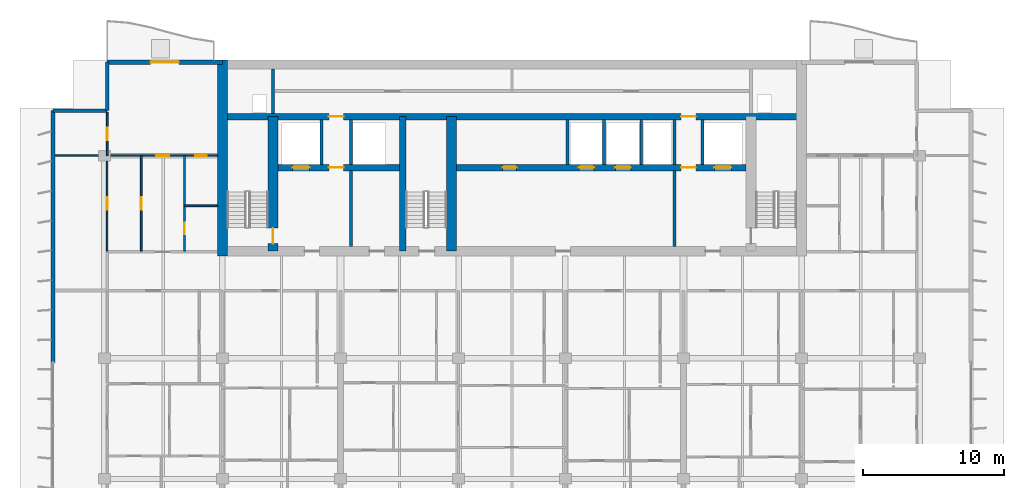
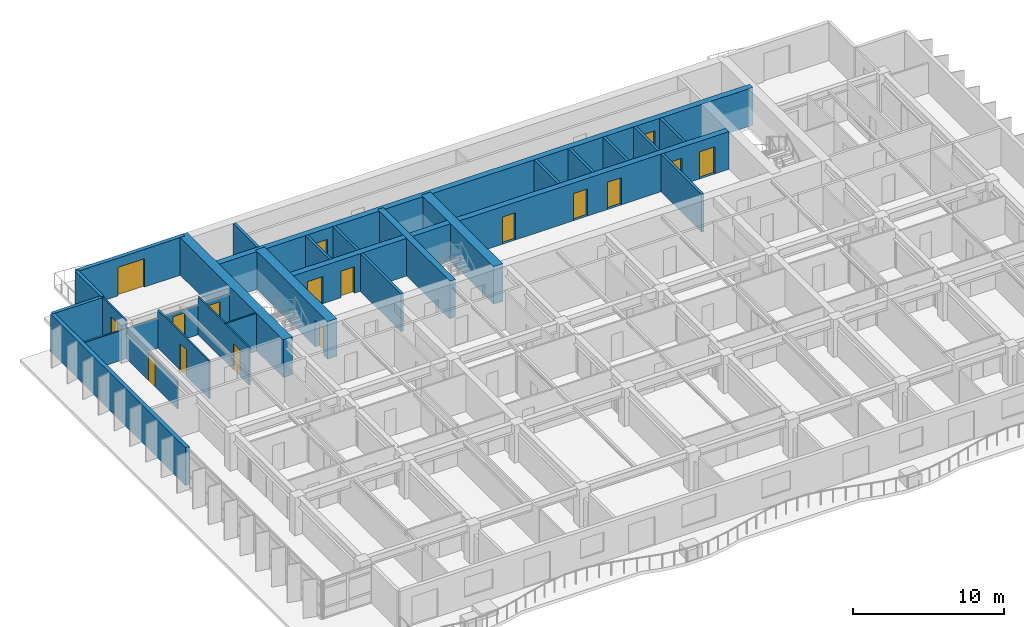
# One storey, part 12 of 17: 26 walls, 17 doors, 17 openings.
"""IFC4 building model written with IfcOpenShell, lengths in metres."""

from ifc_helpers import new_model, si_unit, direction, frame, frame_2d, origin, place, context, subcontext, project, spatial, rectangle, extrude, material, layer, layer_set, type_object, element, fill, save


model = new_model("IFC4")

# Units and contexts
model_context = context("Model", 3, precision=1e-05, world=origin(), true_north=direction((0.0, 1.0)))
body_context = subcontext(model_context, "Body", "Model", "MODEL_VIEW")
ifc_project = project(units=[si_unit("LENGTHUNIT", "METRE"), si_unit("AREAUNIT", "SQUARE_METRE"), si_unit("VOLUMEUNIT", "CUBIC_METRE"), si_unit("PLANEANGLEUNIT", "RADIAN"), si_unit("MASSUNIT", "GRAM", prefix="KILO")], contexts=[model_context])

# Site, building, storey
site_placement = place(None, origin())
site = spatial("IfcSite", under=ifc_project, at=site_placement, CompositionType="ELEMENT")
building_placement = place(site_placement, origin())
building = spatial("IfcBuilding", under=site, at=building_placement, Name="Caelmar Bay Residences", CompositionType="ELEMENT")
storey_placement = place(building_placement, frame((0.0, 0.0, 157.199951171875)))
storey = spatial("IfcBuildingStorey", under=building, at=storey_placement, Name="L43", CompositionType="ELEMENT", Elevation=157.199951171875)

# Wall
ifc_material_1 = material(Name="Concrete f'c 55 MPa (8,000 psi)", Category="concrete")
ifc_layer_1 = layer(ifc_material_1, 0.699951171875)
ifc_layer_set_1 = layer_set([ifc_layer_1], Name="Concrete f'c 55 MPa (8,000 psi)")
wall_type_1 = type_object("IfcWallType", Name="SW-COR-700", PredefinedType="SHEAR", material=ifc_layer_set_1)
wall_1_placement = place(storey_placement, frame((18.300048828125, 36.64990234375, 0.0), z_axis=(0.0, 0.0, 1.0), x_axis=(0.0, 1.0, 0.0)))
element("IfcWall", 1, at=wall_1_placement, inside=storey, type_object=wall_type_1, Name="L43 Rear Core West Shear Wall", PredefinedType="SHEAR", context=body_context, shape_type="SweptSolid", body=[
    extrude(rectangle(XDim=13.9501953125, YDim=0.699951171875, at=frame_2d((6.97509765625, 0.0))), origin(), (0.0, 0.0, 1.0), 3.050048828125),
])

# Wall, opening, door
wall_2_placement = place(storey_placement, frame((21.89990234375, 37.0, 0.0), z_axis=(0.0, 0.0, 1.0), x_axis=(0.0, 1.0, 0.0)))
wall_2 = element("IfcWall", 2, at=wall_2_placement, inside=storey, type_object=wall_type_1, Name="L43 Core Structural Web Wall ST1E", PredefinedType="SHEAR", context=body_context, shape_type="SweptSolid", body=[
    extrude(rectangle(XDim=9.574951171875, YDim=0.699951171875, at=frame_2d((4.78759765625, 0.0))), origin(), (0.0, 0.0, 1.0), 3.050048828125),
])
opening_1_placement = place(wall_2_placement, frame((0.550048828125, 0.0, 0.0)))
opening_1 = element("IfcOpeningElement", 3, at=opening_1_placement, cuts=wall_2, Name="Opening D-L43-107", PredefinedType="OPENING", context=body_context, shape_type="SweptSolid", body=[
    extrude(rectangle(XDim=1.10009765625, YDim=2.14990234375, at=frame_2d((0.550048828125, 1.074951171875))), frame((0.0, 0.35986328125, 0.0), z_axis=(0.0, -1.0, 0.0), x_axis=(1.0, 0.0, 0.0)), (0.0, 0.0, 1.0), 0.719970703125),
])
ifc_material_2 = material(Name="Fire-rated steel and walnut architectural door assembly", Category="steel")
ifc_layer_2 = layer(ifc_material_2, 0.050048828125)
ifc_layer_set_2 = layer_set([ifc_layer_2], Name="Fire-rated steel and walnut architectural door assembly")
door_type_1 = type_object("IfcDoorType", Name="D-STAIR-1100", OperationType="NOTDEFINED", PredefinedType="DOOR", material=ifc_layer_set_2)
door_1_placement = place(opening_1_placement, origin())
door_1 = element("IfcDoor", 4, at=door_1_placement, inside=storey, type_object=door_type_1, Name="L43 Firefighting Lobby West Door", OperationType="SINGLE_SWING_RIGHT", OverallHeight=2.14990234375, OverallWidth=1.10009765625, PredefinedType="DOOR", context=body_context, shape_type="SweptSolid", body=[
    extrude(rectangle(XDim=1.10009765625, YDim=2.14990234375, at=frame_2d((0.550048828125, 1.074951171875))), frame((0.0, 0.02490234375, 0.0), z_axis=(0.0, -1.0, 0.0), x_axis=(1.0, 0.0, 0.0)), (0.0, 0.0, 1.0), 0.050048828125),
])
fill(opening_1, door_1)

# Walls
wall_3_placement = place(storey_placement, frame((34.60009765625, 37.0, 0.0), z_axis=(0.0, 0.0, 1.0), x_axis=(0.0, 1.0, 0.0)))
element("IfcWall", 5, at=wall_3_placement, inside=storey, type_object=wall_type_1, Name="L43 Core Structural Web Wall ST3E", PredefinedType="SHEAR", context=body_context, shape_type="SweptSolid", body=[
    extrude(rectangle(XDim=9.574951171875, YDim=0.699951171875, at=frame_2d((4.78759765625, 0.0))), origin(), (0.0, 0.0, 1.0), 3.050048828125),
])
ifc_material_3 = material(Name="Concrete f'c 70 MPa (10,000 psi)", Category="concrete")
ifc_layer_3 = layer(ifc_material_3, 0.449951171875)
ifc_layer_set_3 = layer_set([ifc_layer_3], Name="Concrete f'c 70 MPa (10,000 psi)")
wall_type_2 = type_object("IfcWallType", Name="SW-WEB-450", PredefinedType="SHEAR", material=ifc_layer_set_3)
wall_4_placement = place(storey_placement, frame((31.125, 37.0, 0.0), z_axis=(0.0, 0.0, 1.0), x_axis=(0.0, 1.0, 0.0)))
element("IfcWall", 6, at=wall_4_placement, inside=storey, type_object=wall_type_2, Name="L43 Core Structural Web Wall ST3W", PredefinedType="SHEAR", context=body_context, shape_type="SweptSolid", body=[
    extrude(rectangle(XDim=9.574951171875, YDim=0.449951171875, at=frame_2d((4.78759765625, 0.0))), origin(), (0.0, 0.0, 1.0), 3.050048828125),
])

# Wall, openings, doors
wall_5_placement = place(storey_placement, frame((22.25, 42.949951171875, 0.0), z_axis=(0.0, 0.0, 1.0), x_axis=(1.0, 0.0, 0.0)))
wall_5 = element("IfcWall", 7, at=wall_5_placement, inside=storey, type_object=wall_type_2, Name="L43 Core Structural Web Wall LFR", PredefinedType="SHEAR", context=body_context, shape_type="SweptSolid", body=[
    extrude(rectangle(XDim=33.300048828125, YDim=0.449951171875, at=frame_2d((16.64990234375, 0.0))), origin(), (0.0, 0.0, 1.0), 3.050048828125),
])
opening_2_placement = place(wall_5_placement, frame((1.050048828125, 0.0, 0.0)))
opening_2 = element("IfcOpeningElement", 8, at=opening_2_placement, cuts=wall_5, Name="Opening LD2", PredefinedType="OPENING", context=body_context, shape_type="SweptSolid", body=[
    extrude(rectangle(XDim=1.199951171875, YDim=2.199951171875, at=frame_2d((0.60009765625, 1.10009765625))), frame((0.0, 0.23486328125, 0.0), z_axis=(0.0, -1.0, 0.0), x_axis=(1.0, 0.0, 0.0)), (0.0, 0.0, 1.0), 0.469970703125),
])
opening_3_placement = place(wall_5_placement, frame((31.050048828125, 0.0, 0.0)))
opening_3 = element("IfcOpeningElement", 9, at=opening_3_placement, cuts=wall_5, Name="Opening LD2", PredefinedType="OPENING", context=body_context, shape_type="SweptSolid", body=[
    extrude(rectangle(XDim=1.199951171875, YDim=2.199951171875, at=frame_2d((0.60009765625, 1.10009765625))), frame((0.0, 0.23486328125, 0.0), z_axis=(0.0, -1.0, 0.0), x_axis=(1.0, 0.0, 0.0)), (0.0, 0.0, 1.0), 0.469970703125),
])
opening_4_placement = place(wall_5_placement, frame((21.39990234375, 0.0, 0.0)))
opening_4 = element("IfcOpeningElement", 10, at=opening_4_placement, cuts=wall_5, Name="Opening LD1", PredefinedType="OPENING", context=body_context, shape_type="SweptSolid", body=[
    extrude(rectangle(XDim=1.10009765625, YDim=2.199951171875, at=frame_2d((0.550048828125, 1.10009765625))), frame((0.0, 0.23486328125, 0.0), z_axis=(0.0, -1.0, 0.0), x_axis=(1.0, 0.0, 0.0)), (0.0, 0.0, 1.0), 0.469970703125),
])
opening_5_placement = place(wall_5_placement, frame((24.0, 0.0, 0.0)))
opening_5 = element("IfcOpeningElement", 11, at=opening_5_placement, cuts=wall_5, Name="Opening LD1", PredefinedType="OPENING", context=body_context, shape_type="SweptSolid", body=[
    extrude(rectangle(XDim=1.10009765625, YDim=2.199951171875, at=frame_2d((0.550048828125, 1.10009765625))), frame((0.0, 0.23486328125, 0.0), z_axis=(0.0, -1.0, 0.0), x_axis=(1.0, 0.0, 0.0)), (0.0, 0.0, 1.0), 0.469970703125),
])
opening_6_placement = place(wall_5_placement, frame((3.625, 0.0, 0.0)))
opening_6 = element("IfcOpeningElement", 12, at=opening_6_placement, cuts=wall_5, Name="Opening D-L43-108", PredefinedType="OPENING", context=body_context, shape_type="SweptSolid", body=[
    extrude(rectangle(XDim=1.050048828125, YDim=2.14990234375, at=frame_2d((0.52490234375, 1.074951171875))), frame((0.0, 0.23486328125, 0.0), z_axis=(0.0, -1.0, 0.0), x_axis=(1.0, 0.0, 0.0)), (0.0, 0.0, 1.0), 0.469970703125),
])
opening_7_placement = place(wall_5_placement, frame((28.675048828125, 0.0, 0.0)))
opening_7 = element("IfcOpeningElement", 13, at=opening_7_placement, cuts=wall_5, Name="Opening D-L43-111", PredefinedType="OPENING", context=body_context, shape_type="SweptSolid", body=[
    extrude(rectangle(XDim=1.050048828125, YDim=2.14990234375, at=frame_2d((0.52490234375, 1.074951171875))), frame((0.0, 0.23486328125, 0.0), z_axis=(0.0, -1.0, 0.0), x_axis=(1.0, 0.0, 0.0)), (0.0, 0.0, 1.0), 0.469970703125),
])
opening_8_placement = place(wall_5_placement, frame((15.97509765625, 0.0, 0.0)))
opening_8 = element("IfcOpeningElement", 14, at=opening_8_placement, cuts=wall_5, Name="Opening D-L43-114", PredefinedType="OPENING", context=body_context, shape_type="SweptSolid", body=[
    extrude(rectangle(XDim=1.0, YDim=2.199951171875, at=frame_2d((0.5, 1.10009765625))), frame((0.0, 0.23486328125, 0.0), z_axis=(0.0, -1.0, 0.0), x_axis=(1.0, 0.0, 0.0)), (0.0, 0.0, 1.0), 0.469970703125),
])
ifc_layer_4 = layer(ifc_material_2, 0.050048828125)
ifc_layer_set_4 = layer_set([ifc_layer_4], Name="Fire-rated steel and walnut architectural door assembly")
door_type_2 = type_object("IfcDoorType", Name="D-FSAE-1050", OperationType="NOTDEFINED", PredefinedType="DOOR", material=ifc_layer_set_4)
door_2_placement = place(opening_6_placement, origin())
door_2 = element("IfcDoor", 15, at=door_2_placement, inside=storey, type_object=door_type_2, Name="L43 Firefighting Lobby West Door", OperationType="SINGLE_SWING_LEFT", OverallHeight=2.14990234375, OverallWidth=1.050048828125, PredefinedType="DOOR", context=body_context, shape_type="SweptSolid", body=[
    extrude(rectangle(XDim=1.050048828125, YDim=2.14990234375, at=frame_2d((0.52490234375, 1.074951171875))), frame((0.0, 0.02490234375, 0.0), z_axis=(0.0, -1.0, 0.0), x_axis=(1.0, 0.0, 0.0)), (0.0, 0.0, 1.0), 0.050048828125),
])
fill(opening_6, door_2)
door_3_placement = place(opening_7_placement, origin())
door_3 = element("IfcDoor", 16, at=door_3_placement, inside=storey, type_object=door_type_2, Name="L43 Firefighting Lobby East Door", OperationType="SINGLE_SWING_RIGHT", OverallHeight=2.14990234375, OverallWidth=1.050048828125, PredefinedType="DOOR", context=body_context, shape_type="SweptSolid", body=[
    extrude(rectangle(XDim=1.050048828125, YDim=2.14990234375, at=frame_2d((0.52490234375, 1.074951171875))), frame((0.0, 0.02490234375, 0.0), z_axis=(0.0, -1.0, 0.0), x_axis=(1.0, 0.0, 0.0)), (0.0, 0.0, 1.0), 0.050048828125),
])
fill(opening_7, door_3)
ifc_material_4 = material(Name="Brushed bronze stainless-steel fire-rated lift landing doors", Category="steel")
ifc_layer_5 = layer(ifc_material_4, 0.050048828125)
ifc_layer_set_5 = layer_set([ifc_layer_5], Name="Brushed bronze stainless-steel fire-rated lift landing doors")
door_type_3 = type_object("IfcDoorType", Name="D-LND-1100", OperationType="DOUBLE_DOOR_SLIDING", PredefinedType="DOOR", material=ifc_layer_set_5)
door_4_placement = place(opening_4_placement, origin())
door_4 = element("IfcDoor", 17, at=door_4_placement, inside=storey, type_object=door_type_3, Name="L43 LP4 Sliding Landing Door", OperationType="DOUBLE_DOOR_SLIDING", OverallHeight=2.199951171875, OverallWidth=1.10009765625, PredefinedType="DOOR", context=body_context, shape_type="SweptSolid", body=[
    extrude(rectangle(XDim=1.10009765625, YDim=2.199951171875, at=frame_2d((0.550048828125, 1.10009765625))), frame((0.0, 0.02490234375, 0.0), z_axis=(0.0, -1.0, 0.0), x_axis=(1.0, 0.0, 0.0)), (0.0, 0.0, 1.0), 0.050048828125),
])
fill(opening_4, door_4)
door_5_placement = place(opening_5_placement, origin())
door_5 = element("IfcDoor", 18, at=door_5_placement, inside=storey, type_object=door_type_3, Name="L43 LP5 Sliding Landing Door", OperationType="DOUBLE_DOOR_SLIDING", OverallHeight=2.199951171875, OverallWidth=1.10009765625, PredefinedType="DOOR", context=body_context, shape_type="SweptSolid", body=[
    extrude(rectangle(XDim=1.10009765625, YDim=2.199951171875, at=frame_2d((0.550048828125, 1.10009765625))), frame((0.0, 0.02490234375, 0.0), z_axis=(0.0, -1.0, 0.0), x_axis=(1.0, 0.0, 0.0)), (0.0, 0.0, 1.0), 0.050048828125),
])
fill(opening_5, door_5)
ifc_material_5 = material(Name="Brushed stainless-steel FSAE sliding landing door", Category="steel")
ifc_layer_6 = layer(ifc_material_5, 0.050048828125)
ifc_layer_set_6 = layer_set([ifc_layer_6], Name="Brushed stainless-steel FSAE sliding landing door")
door_type_4 = type_object("IfcDoorType", Name="D-LND-1200", OperationType="DOUBLE_DOOR_SLIDING", PredefinedType="DOOR", material=ifc_layer_set_6)
door_6_placement = place(opening_2_placement, origin())
door_6 = element("IfcDoor", 19, at=door_6_placement, inside=storey, type_object=door_type_4, Name="L43 LF1 Sliding Landing Door", OperationType="DOUBLE_DOOR_SLIDING", OverallHeight=2.199951171875, OverallWidth=1.199951171875, PredefinedType="DOOR", context=body_context, shape_type="SweptSolid", body=[
    extrude(rectangle(XDim=1.199951171875, YDim=2.199951171875, at=frame_2d((0.60009765625, 1.10009765625))), frame((0.0, 0.02490234375, 0.0), z_axis=(0.0, -1.0, 0.0), x_axis=(1.0, 0.0, 0.0)), (0.0, 0.0, 1.0), 0.050048828125),
])
fill(opening_2, door_6)
door_7_placement = place(opening_3_placement, origin())
door_7 = element("IfcDoor", 20, at=door_7_placement, inside=storey, type_object=door_type_4, Name="L43 LF2 Sliding Landing Door", OperationType="DOUBLE_DOOR_SLIDING", OverallHeight=2.199951171875, OverallWidth=1.199951171875, PredefinedType="DOOR", context=body_context, shape_type="SweptSolid", body=[
    extrude(rectangle(XDim=1.199951171875, YDim=2.199951171875, at=frame_2d((0.60009765625, 1.10009765625))), frame((0.0, 0.02490234375, 0.0), z_axis=(0.0, -1.0, 0.0), x_axis=(1.0, 0.0, 0.0)), (0.0, 0.0, 1.0), 0.050048828125),
])
fill(opening_3, door_7)
ifc_layer_7 = layer(ifc_material_2, 0.050048828125)
ifc_layer_set_7 = layer_set([ifc_layer_7], Name="Fire-rated steel and walnut architectural door assembly")
door_type_5 = type_object("IfcDoorType", Name="D-UNIT-1000", OperationType="NOTDEFINED", PredefinedType="DOOR", material=ifc_layer_set_7)
door_8_placement = place(opening_8_placement, origin())
door_8 = element("IfcDoor", 21, at=door_8_placement, inside=storey, type_object=door_type_5, Name="L43 Quiet Reading Study Door", OperationType="SINGLE_SWING_LEFT", OverallHeight=2.199951171875, OverallWidth=1.0, PredefinedType="DOOR", context=body_context, shape_type="SweptSolid", body=[
    extrude(rectangle(XDim=1.0, YDim=2.199951171875, at=frame_2d((0.5, 1.10009765625))), frame((0.0, 0.02490234375, 0.0), z_axis=(0.0, -1.0, 0.0), x_axis=(1.0, 0.0, 0.0)), (0.0, 0.0, 1.0), 0.050048828125),
])
fill(opening_8, door_8)

wall_6_placement = place(storey_placement, frame((18.300048828125, 46.574951171875, 0.0), z_axis=(0.0, 0.0, 1.0), x_axis=(1.0, 0.0, 0.0)))
wall_6 = element("IfcWall", 22, at=wall_6_placement, inside=storey, type_object=wall_type_2, Name="L43 Core Structural Web Wall SRVS", PredefinedType="SHEAR", context=body_context, shape_type="SweptSolid", body=[
    extrude(rectangle(XDim=41.199951171875, YDim=0.449951171875, at=frame_2d((20.60009765625, 0.0))), origin(), (0.0, 0.0, 1.0), 3.050048828125),
])
opening_9_placement = place(wall_6_placement, frame((7.574951171875, 0.0, 0.0)))
opening_9 = element("IfcOpeningElement", 23, at=opening_9_placement, cuts=wall_6, Name="Opening D-L43-115", PredefinedType="OPENING", context=body_context, shape_type="SweptSolid", body=[
    extrude(rectangle(XDim=1.050048828125, YDim=2.14990234375, at=frame_2d((0.52490234375, 1.074951171875))), frame((0.0, 0.23486328125, 0.0), z_axis=(0.0, -1.0, 0.0), x_axis=(1.0, 0.0, 0.0)), (0.0, 0.0, 1.0), 0.469970703125),
])
opening_10_placement = place(wall_6_placement, frame((32.625, 0.0, 0.0)))
opening_10 = element("IfcOpeningElement", 24, at=opening_10_placement, cuts=wall_6, Name="Opening D-L43-116", PredefinedType="OPENING", context=body_context, shape_type="SweptSolid", body=[
    extrude(rectangle(XDim=1.050048828125, YDim=2.14990234375, at=frame_2d((0.52490234375, 1.074951171875))), frame((0.0, 0.23486328125, 0.0), z_axis=(0.0, -1.0, 0.0), x_axis=(1.0, 0.0, 0.0)), (0.0, 0.0, 1.0), 0.469970703125),
])
door_9_placement = place(opening_9_placement, origin())
door_9 = element("IfcDoor", 25, at=door_9_placement, inside=storey, type_object=door_type_2, Name="L43 Core Service Corridor Door", OperationType="SINGLE_SWING_RIGHT", OverallHeight=2.14990234375, OverallWidth=1.050048828125, PredefinedType="DOOR", context=body_context, shape_type="SweptSolid", body=[
    extrude(rectangle(XDim=1.050048828125, YDim=2.14990234375, at=frame_2d((0.52490234375, 1.074951171875))), frame((0.0, 0.02490234375, 0.0), z_axis=(0.0, -1.0, 0.0), x_axis=(1.0, 0.0, 0.0)), (0.0, 0.0, 1.0), 0.050048828125),
])
fill(opening_9, door_9)
door_10_placement = place(opening_10_placement, origin())
door_10 = element("IfcDoor", 26, at=door_10_placement, inside=storey, type_object=door_type_2, Name="L43 Core Service Corridor Door", OperationType="SINGLE_SWING_LEFT", OverallHeight=2.14990234375, OverallWidth=1.050048828125, PredefinedType="DOOR", context=body_context, shape_type="SweptSolid", body=[
    extrude(rectangle(XDim=1.050048828125, YDim=2.14990234375, at=frame_2d((0.52490234375, 1.074951171875))), frame((0.0, 0.02490234375, 0.0), z_axis=(0.0, -1.0, 0.0), x_axis=(1.0, 0.0, 0.0)), (0.0, 0.0, 1.0), 0.050048828125),
])
fill(opening_10, door_10)

# Walls
ifc_material_6 = material(Name="Precast concrete f'c 40 MPa (6,000 psi)", Category="concrete")
ifc_layer_8 = layer(ifc_material_6, 0.25)
ifc_layer_set_8 = layer_set([ifc_layer_8], Name="Precast concrete f'c 40 MPa (6,000 psi)")
wall_type_3 = type_object("IfcWallType", Name="W-EXT-250", PredefinedType="ELEMENTEDWALL", material=ifc_layer_set_8)
wall_7_placement = place(storey_placement, frame((6.25, 47.0, 0.0), z_axis=(0.0, 0.0, 1.0), x_axis=(1.0, 0.0, 0.0)))
element("IfcWall", 27, at=wall_7_placement, inside=storey, type_object=wall_type_3, Name="L43 NNW-H Notch Wall", PredefinedType="ELEMENTEDWALL", context=body_context, shape_type="SweptSolid", body=[
    extrude(rectangle(XDim=3.85009765625, YDim=0.25, at=frame_2d((1.925048828125, 0.0))), origin(), (0.0, 0.0, 1.0), 3.050048828125),
])
wall_8_placement = place(storey_placement, frame((10.10009765625, 47.0, 0.0), z_axis=(0.0, 0.0, 1.0), x_axis=(0.0, 1.0, 0.0)))
element("IfcWall", 28, at=wall_8_placement, inside=storey, type_object=wall_type_3, Name="L43 NNW-V Notch Wall", PredefinedType="ELEMENTEDWALL", context=body_context, shape_type="SweptSolid", body=[
    extrude(rectangle(XDim=3.449951171875, YDim=0.25, at=frame_2d((1.72509765625, 0.0))), origin(), (0.0, 0.0, 1.0), 3.050048828125),
])
ifc_layer_9 = layer(ifc_material_6, 0.300048828125)
ifc_layer_set_9 = layer_set([ifc_layer_9], Name="Precast concrete f'c 40 MPa (6,000 psi)")
wall_type_4 = type_object("IfcWallType", Name="W-EXT-300", PredefinedType="STANDARD", material=ifc_layer_set_9)
wall_9_placement = place(storey_placement, frame((6.25, 29.10009765625, 0.0), z_axis=(0.0, 0.0, 1.0), x_axis=(0.0, 1.0, 0.0)))
element("IfcWall", 29, at=wall_9_placement, inside=storey, type_object=wall_type_4, Name="L43 West Rear Exterior Wall", PredefinedType="STANDARD", context=body_context, shape_type="SweptSolid", body=[
    extrude(rectangle(XDim=17.89990234375, YDim=0.300048828125, at=frame_2d((8.949951171875, 0.0))), origin(), (0.0, 0.0, 1.0), 3.050048828125),
])

# Wall, opening, door
wall_10_placement = place(storey_placement, frame((10.10009765625, 50.449951171875, 0.0), z_axis=(0.0, 0.0, 1.0), x_axis=(1.0, 0.0, 0.0)))
wall_10 = element("IfcWall", 30, at=wall_10_placement, inside=storey, type_object=wall_type_4, Name="L43 North-West Wing Exterior Wall", PredefinedType="STANDARD", context=body_context, shape_type="SweptSolid", body=[
    extrude(rectangle(XDim=8.199951171875, YDim=0.300048828125, at=frame_2d((4.10009765625, 0.0))), origin(), (0.0, 0.0, 1.0), 3.050048828125),
])
opening_11_placement = place(wall_10_placement, frame((3.10009765625, 0.0, 0.0)))
opening_11 = element("IfcOpeningElement", 31, at=opening_11_placement, cuts=wall_10, Name="Opening L43-BDNW", PredefinedType="OPENING", context=body_context, shape_type="SweptSolid", body=[
    extrude(rectangle(XDim=2.0, YDim=2.300048828125, at=frame_2d((1.0, 1.14990234375))), frame((0.0, 0.159912109375, 0.0), z_axis=(0.0, -1.0, 0.0), x_axis=(1.0, 0.0, 0.0)), (0.0, 0.0, 1.0), 0.320068359375),
])
ifc_material_7 = material(Name="Anodised bronze thermally broken sliding glass door", Category="glass")
ifc_layer_10 = layer(ifc_material_7, 0.050048828125)
ifc_layer_set_10 = layer_set([ifc_layer_10], Name="Anodised bronze thermally broken sliding glass door")
door_type_6 = type_object("IfcDoorType", Name="D-BAL-2000", OperationType="DOUBLE_DOOR_SLIDING", PredefinedType="DOOR", material=ifc_layer_set_10)
door_11_placement = place(opening_11_placement, origin())
door_11 = element("IfcDoor", 32, at=door_11_placement, inside=storey, type_object=door_type_6, Name="L43 North-West Balcony Door", OperationType="DOUBLE_DOOR_SLIDING", OverallHeight=2.300048828125, OverallWidth=2.0, PredefinedType="DOOR", context=body_context, shape_type="SweptSolid", body=[
    extrude(rectangle(XDim=2.0, YDim=2.300048828125, at=frame_2d((1.0, 1.14990234375))), frame((0.0, 0.02490234375, 0.0), z_axis=(0.0, -1.0, 0.0), x_axis=(1.0, 0.0, 0.0)), (0.0, 0.0, 1.0), 0.050048828125),
])
fill(opening_11, door_11)

# Walls
ifc_material_8 = material(Name="Fire-rated masonry and gypsum shaftliner assembly 200 mm", Category="masonry")
ifc_layer_11 = layer(ifc_material_8, 0.199951171875)
ifc_layer_set_11 = layer_set([ifc_layer_11], Name="Fire-rated masonry and gypsum shaftliner assembly 200 mm")
wall_type_5 = type_object("IfcWallType", Name="W-FSAE-200", PredefinedType="PARTITIONING", material=ifc_layer_set_11)
wall_11_placement = place(storey_placement, frame((21.89990234375, 46.794921875, 0.0), z_axis=(0.0, 0.0, 1.0), x_axis=(0.0, 1.0, 0.0)))
element("IfcWall", 33, at=wall_11_placement, inside=storey, type_object=wall_type_5, Name="L43 Partition Wall V023", PredefinedType="PARTITIONING", context=body_context, shape_type="SweptSolid", body=[
    extrude(rectangle(XDim=3.16015625, YDim=0.199951171875, at=frame_2d((1.580078125, 0.0))), origin(), (0.0, 0.0, 1.0), 3.050048828125),
])
wall_12_placement = place(storey_placement, frame((25.35009765625, 43.169921875, 0.0), z_axis=(0.0, 0.0, 1.0), x_axis=(0.0, 1.0, 0.0)))
element("IfcWall", 34, at=wall_12_placement, inside=storey, type_object=wall_type_5, Name="L43 Partition Wall V030", PredefinedType="PARTITIONING", context=body_context, shape_type="SweptSolid", body=[
    extrude(rectangle(XDim=3.18505859375, YDim=0.199951171875, at=frame_2d((1.592529296875, 0.0))), origin(), (0.0, 0.0, 1.0), 3.050048828125),
])
wall_13_placement = place(storey_placement, frame((27.449951171875, 37.344970703125, 0.0), z_axis=(0.0, 0.0, 1.0), x_axis=(0.0, 1.0, 0.0)))
element("IfcWall", 35, at=wall_13_placement, inside=storey, type_object=wall_type_5, Name="L43 Partition Wall V034", PredefinedType="PARTITIONING", context=body_context, shape_type="SweptSolid", body=[
    extrude(rectangle(XDim=5.385009765625, YDim=0.199951171875, at=frame_2d((2.6923828125, 0.0))), origin(), (0.0, 0.0, 1.0), 3.050048828125),
])
for number, where, z_axis, x_axis, name in (
    (36, (27.449951171875, 43.169921875, 0.0), (0.0, 0.0, 1.0), (0.0, 1.0, 0.0), "L43 Partition Wall V035"),
    (37, (42.85009765625, 43.169921875, 0.0), (0.0, 0.0, 1.0), (0.0, 1.0, 0.0), "L43 Partition Wall V053"),
    (38, (45.449951171875, 43.169921875, 0.0), (0.0, 0.0, 1.0), (0.0, 1.0, 0.0), "L43 Partition Wall V054"),
    (39, (48.10009765625, 43.169921875, 0.0), (0.0, 0.0, 1.0), (0.0, 1.0, 0.0), "L43 Partition Wall V059"),
):
    element("IfcWall", number, at=place(storey_placement, frame(where, z_axis=z_axis, x_axis=x_axis)), inside=storey, type_object=wall_type_5, Name=name, PredefinedType="PARTITIONING", context=body_context, shape_type="SweptSolid", body=[
        extrude(rectangle(XDim=3.18505859375, YDim=0.199951171875, at=frame_2d((1.592529296875, 0.0))), origin(), (0.0, 0.0, 1.0), 3.050048828125),
    ])
wall_14_placement = place(storey_placement, frame((50.449951171875, 37.344970703125, 0.0), z_axis=(0.0, 0.0, 1.0), x_axis=(0.0, 1.0, 0.0)))
element("IfcWall", 40, at=wall_14_placement, inside=storey, type_object=wall_type_5, Name="L43 Partition Wall V062", PredefinedType="PARTITIONING", context=body_context, shape_type="SweptSolid", body=[
    extrude(rectangle(XDim=5.385009765625, YDim=0.199951171875, at=frame_2d((2.6923828125, 0.0))), origin(), (0.0, 0.0, 1.0), 3.050048828125),
])
for number, where, z_axis, x_axis, name in (
    (41, (50.449951171875, 43.169921875, 0.0), (0.0, 0.0, 1.0), (0.0, 1.0, 0.0), "L43 Partition Wall V063"),
    (42, (52.449951171875, 43.169921875, 0.0), (0.0, 0.0, 1.0), (0.0, 1.0, 0.0), "L43 Partition Wall V067"),
):
    element("IfcWall", number, at=place(storey_placement, frame(where, z_axis=z_axis, x_axis=x_axis)), inside=storey, type_object=wall_type_5, Name=name, PredefinedType="PARTITIONING", context=body_context, shape_type="SweptSolid", body=[
        extrude(rectangle(XDim=3.18505859375, YDim=0.199951171875, at=frame_2d((1.592529296875, 0.0))), origin(), (0.0, 0.0, 1.0), 3.050048828125),
    ])

# Wall, opening, door
ifc_material_9 = material(Name="Anodised bronze framed acoustic sliding study partition 100 mm")
ifc_layer_12 = layer(ifc_material_9, 0.10009765625)
ifc_layer_set_12 = layer_set([ifc_layer_12], Name="Anodised bronze framed acoustic sliding study partition 100 mm")
wall_type_6 = type_object("IfcWallType", Name="W-MOV-100", PredefinedType="MOVABLE", material=ifc_layer_set_12)
wall_15_placement = place(storey_placement, frame((10.10009765625, 37.0, 0.0), z_axis=(0.0, 0.0, 1.0), x_axis=(0.0, 1.0, 0.0)))
wall_15 = element("IfcWall", 43, at=wall_15_placement, inside=storey, type_object=wall_type_6, Name="L43 Partition Wall V007", PredefinedType="MOVABLE", context=body_context, shape_type="SweptSolid", body=[
    extrude(rectangle(XDim=6.800048828125, YDim=0.10009765625, at=frame_2d((3.39990234375, 0.0))), origin(), (0.0, 0.0, 1.0), 2.262939453125),
])
opening_12_placement = place(wall_15_placement, frame((2.949951171875, 0.0, 0.0)))
opening_12 = element("IfcOpeningElement", 44, at=opening_12_placement, cuts=wall_15, Name="Opening D-L43-168", PredefinedType="OPENING", context=body_context, shape_type="SweptSolid", body=[
    extrude(rectangle(XDim=0.89990234375, YDim=2.14990234375, at=frame_2d((0.449951171875, 1.074951171875))), frame((0.0, 0.06005859375, 0.0), z_axis=(0.0, -1.0, 0.0), x_axis=(1.0, 0.0, 0.0)), (0.0, 0.0, 1.0), 0.1201171875),
])
ifc_material_10 = material(Name="Solid walnut timber interior door leaf and frame", Category="wood")
ifc_layer_13 = layer(ifc_material_10, 0.050048828125)
ifc_layer_set_13 = layer_set([ifc_layer_13], Name="Solid walnut timber interior door leaf and frame")
door_type_7 = type_object("IfcDoorType", Name="D-ROOM-900", OperationType="NOTDEFINED", PredefinedType="DOOR", material=ifc_layer_set_13)
door_12_placement = place(opening_12_placement, origin())
door_12 = element("IfcDoor", 45, at=door_12_placement, inside=storey, type_object=door_type_7, Name="L43 Residence WA Sun Study Door", OperationType="SINGLE_SWING_LEFT", OverallHeight=2.14990234375, OverallWidth=0.89990234375, PredefinedType="DOOR", context=body_context, shape_type="SweptSolid", body=[
    extrude(rectangle(XDim=0.89990234375, YDim=2.14990234375, at=frame_2d((0.449951171875, 1.074951171875))), frame((0.0, 0.02490234375, 0.0), z_axis=(0.0, -1.0, 0.0), x_axis=(1.0, 0.0, 0.0)), (0.0, 0.0, 1.0), 0.050048828125),
])
fill(opening_12, door_12)

ifc_material_11 = material(Name="Acoustic metal-stud gypsum partition 120 mm")
ifc_layer_14 = layer(ifc_material_11, 0.1201171875)
ifc_layer_set_14 = layer_set([ifc_layer_14], Name="Acoustic metal-stud gypsum partition 120 mm")
wall_type_7 = type_object("IfcWallType", Name="W-PRT-120", PredefinedType="PARTITIONING", material=ifc_layer_set_14)
wall_16_placement = place(storey_placement, frame((10.10009765625, 43.804931640625, 0.0), z_axis=(0.0, 0.0, 1.0), x_axis=(0.0, 1.0, 0.0)))
wall_16 = element("IfcWall", 46, at=wall_16_placement, inside=storey, type_object=wall_type_7, Name="L43 Partition Wall V008", PredefinedType="PARTITIONING", context=body_context, shape_type="SweptSolid", body=[
    extrude(rectangle(XDim=3.074951171875, YDim=0.1201171875, at=frame_2d((1.53759765625, 0.0))), origin(), (0.0, 0.0, 1.0), 3.050048828125),
])
opening_13_placement = place(wall_16_placement, frame((1.08740234375, 0.0, 0.0)))
opening_13 = element("IfcOpeningElement", 47, at=opening_13_placement, cuts=wall_16, Name="Opening D-L43-169", PredefinedType="OPENING", context=body_context, shape_type="SweptSolid", body=[
    extrude(rectangle(XDim=0.89990234375, YDim=2.14990234375, at=frame_2d((0.449951171875, 1.074951171875))), frame((0.0, 0.070068359375, 0.0), z_axis=(0.0, -1.0, 0.0), x_axis=(1.0, 0.0, 0.0)), (0.0, 0.0, 1.0), 0.14013671875),
])
door_13_placement = place(opening_13_placement, origin())
door_13 = element("IfcDoor", 48, at=door_13_placement, inside=storey, type_object=door_type_7, Name="L43 Residence WA North Sitting Alcove Door", OperationType="SINGLE_SWING_RIGHT", OverallHeight=2.14990234375, OverallWidth=0.89990234375, PredefinedType="DOOR", context=body_context, shape_type="SweptSolid", body=[
    extrude(rectangle(XDim=0.89990234375, YDim=2.14990234375, at=frame_2d((0.449951171875, 1.074951171875))), frame((0.0, 0.02490234375, 0.0), z_axis=(0.0, -1.0, 0.0), x_axis=(1.0, 0.0, 0.0)), (0.0, 0.0, 1.0), 0.050048828125),
])
fill(opening_13, door_13)

wall_17_placement = place(storey_placement, frame((12.52001953125, 37.0, 0.0), z_axis=(0.0, 0.0, 1.0), x_axis=(0.0, 1.0, 0.0)))
wall_17 = element("IfcWall", 49, at=wall_17_placement, inside=storey, type_object=wall_type_7, Name="L43 Partition Wall V009", PredefinedType="PARTITIONING", context=body_context, shape_type="SweptSolid", body=[
    extrude(rectangle(XDim=6.800048828125, YDim=0.1201171875, at=frame_2d((3.39990234375, 0.0))), origin(), (0.0, 0.0, 1.0), 3.050048828125),
])
opening_14_placement = place(wall_17_placement, frame((2.949951171875, 0.0, 0.0)))
opening_14 = element("IfcOpeningElement", 50, at=opening_14_placement, cuts=wall_17, Name="Opening D-L43-163", PredefinedType="OPENING", context=body_context, shape_type="SweptSolid", body=[
    extrude(rectangle(XDim=0.89990234375, YDim=2.14990234375, at=frame_2d((0.449951171875, 1.074951171875))), frame((0.0, 0.070068359375, 0.0), z_axis=(0.0, -1.0, 0.0), x_axis=(1.0, 0.0, 0.0)), (0.0, 0.0, 1.0), 0.14013671875),
])
door_14_placement = place(opening_14_placement, origin())
door_14 = element("IfcDoor", 51, at=door_14_placement, inside=storey, type_object=door_type_7, Name="L43 Residence WA Dining Room Door", OperationType="SINGLE_SWING_RIGHT", OverallHeight=2.14990234375, OverallWidth=0.89990234375, PredefinedType="DOOR", context=body_context, shape_type="SweptSolid", body=[
    extrude(rectangle(XDim=0.89990234375, YDim=2.14990234375, at=frame_2d((0.449951171875, 1.074951171875))), frame((0.0, 0.02490234375, 0.0), z_axis=(0.0, -1.0, 0.0), x_axis=(1.0, 0.0, 0.0)), (0.0, 0.0, 1.0), 0.050048828125),
])
fill(opening_14, door_14)

wall_18_placement = place(storey_placement, frame((15.60009765625, 37.0, 0.0), z_axis=(0.0, 0.0, 1.0), x_axis=(0.0, 1.0, 0.0)))
wall_18 = element("IfcWall", 52, at=wall_18_placement, inside=storey, type_object=wall_type_7, Name="L43 Partition Wall V015", PredefinedType="PARTITIONING", context=body_context, shape_type="SweptSolid", body=[
    extrude(rectangle(XDim=6.800048828125, YDim=0.1201171875, at=frame_2d((3.39990234375, 0.0))), origin(), (0.0, 0.0, 1.0), 3.050048828125),
])
opening_15_placement = place(wall_18_placement, frame((1.194091796875, 0.0, 0.0)))
opening_15 = element("IfcOpeningElement", 53, at=opening_15_placement, cuts=wall_18, Name="Opening D-L43-166", PredefinedType="OPENING", context=body_context, shape_type="SweptSolid", body=[
    extrude(rectangle(XDim=0.85009765625, YDim=2.10009765625, at=frame_2d((0.425048828125, 1.050048828125))), frame((0.0, 0.070068359375, 0.0), z_axis=(0.0, -1.0, 0.0), x_axis=(1.0, 0.0, 0.0)), (0.0, 0.0, 1.0), 0.14013671875),
])
ifc_layer_15 = layer(ifc_material_10, 0.050048828125)
ifc_layer_set_15 = layer_set([ifc_layer_15], Name="Solid walnut timber interior door leaf and frame")
door_type_8 = type_object("IfcDoorType", Name="D-BATH-850", OperationType="NOTDEFINED", PredefinedType="DOOR", material=ifc_layer_set_15)
door_15_placement = place(opening_15_placement, origin())
door_15 = element("IfcDoor", 54, at=door_15_placement, inside=storey, type_object=door_type_8, Name="L43 Residence WA Walk-In Closet Door", OperationType="SINGLE_SWING_LEFT", OverallHeight=2.10009765625, OverallWidth=0.85009765625, PredefinedType="DOOR", context=body_context, shape_type="SweptSolid", body=[
    extrude(rectangle(XDim=0.85009765625, YDim=2.10009765625, at=frame_2d((0.425048828125, 1.050048828125))), frame((0.0, 0.02490234375, 0.0), z_axis=(0.0, -1.0, 0.0), x_axis=(1.0, 0.0, 0.0)), (0.0, 0.0, 1.0), 0.050048828125),
])
fill(opening_15, door_15)

# Wall
wall_19_placement = place(storey_placement, frame((15.60009765625, 40.238037109375, 0.0), z_axis=(0.0, 0.0, 1.0), x_axis=(1.0, 0.0, 0.0)))
element("IfcWall", 55, at=wall_19_placement, inside=storey, type_object=wall_type_7, Name="L43 Partition Wall H125", PredefinedType="PARTITIONING", context=body_context, shape_type="SweptSolid", body=[
    extrude(rectangle(XDim=2.35498046875, YDim=0.1201171875, at=frame_2d((1.177490234375, 0.0))), origin(), (0.0, 0.0, 1.0), 3.050048828125),
])

# Wall, openings, doors
wall_20_placement = place(storey_placement, frame((6.39501953125, 43.800048828125, 0.0), z_axis=(0.0, 0.0, 1.0), x_axis=(1.0, 0.0, 0.0)))
wall_20 = element("IfcWall", 56, at=wall_20_placement, inside=storey, type_object=wall_type_7, Name="L43 Partition Wall H127", PredefinedType="PARTITIONING", context=body_context, shape_type="SweptSolid", body=[
    extrude(rectangle(XDim=11.56005859375, YDim=0.1201171875, at=frame_2d((5.780029296875, 0.0))), origin(), (0.0, 0.0, 1.0), 2.41796875),
])
opening_16_placement = place(wall_20_placement, frame((7.215087890625, 0.0, 0.0)))
opening_16 = element("IfcOpeningElement", 57, at=opening_16_placement, cuts=wall_20, Name="Opening D-L43-165", PredefinedType="OPENING", context=body_context, shape_type="SweptSolid", body=[
    extrude(rectangle(XDim=0.89990234375, YDim=2.14990234375, at=frame_2d((0.449951171875, 1.074951171875))), frame((0.0, 0.070068359375, 0.0), z_axis=(0.0, -1.0, 0.0), x_axis=(1.0, 0.0, 0.0)), (0.0, 0.0, 1.0), 0.14013671875),
])
opening_17_placement = place(wall_20_placement, frame((9.95751953125, 0.0, 0.0)))
opening_17 = element("IfcOpeningElement", 58, at=opening_17_placement, cuts=wall_20, Name="Opening D-L43-167", PredefinedType="OPENING", context=body_context, shape_type="SweptSolid", body=[
    extrude(rectangle(XDim=0.85009765625, YDim=2.10009765625, at=frame_2d((0.425048828125, 1.050048828125))), frame((0.0, 0.070068359375, 0.0), z_axis=(0.0, -1.0, 0.0), x_axis=(1.0, 0.0, 0.0)), (0.0, 0.0, 1.0), 0.14013671875),
])
door_16_placement = place(opening_17_placement, origin())
door_16 = element("IfcDoor", 59, at=door_16_placement, inside=storey, type_object=door_type_8, Name="L43 Residence WA Bathroom Door", OperationType="SINGLE_SWING_RIGHT", OverallHeight=2.10009765625, OverallWidth=0.85009765625, PredefinedType="DOOR", context=body_context, shape_type="SweptSolid", body=[
    extrude(rectangle(XDim=0.85009765625, YDim=2.10009765625, at=frame_2d((0.425048828125, 1.050048828125))), frame((0.0, 0.02490234375, 0.0), z_axis=(0.0, -1.0, 0.0), x_axis=(1.0, 0.0, 0.0)), (0.0, 0.0, 1.0), 0.050048828125),
])
fill(opening_17, door_16)
door_17_placement = place(opening_16_placement, origin())
door_17 = element("IfcDoor", 60, at=door_17_placement, inside=storey, type_object=door_type_7, Name="L43 Residence WA Studio Living and Sleeping Room Door", OperationType="SINGLE_SWING_RIGHT", OverallHeight=2.14990234375, OverallWidth=0.89990234375, PredefinedType="DOOR", context=body_context, shape_type="SweptSolid", body=[
    extrude(rectangle(XDim=0.89990234375, YDim=2.14990234375, at=frame_2d((0.449951171875, 1.074951171875))), frame((0.0, 0.02490234375, 0.0), z_axis=(0.0, -1.0, 0.0), x_axis=(1.0, 0.0, 0.0)), (0.0, 0.0, 1.0), 0.050048828125),
])
fill(opening_16, door_17)

save(model, "model.ifc")
